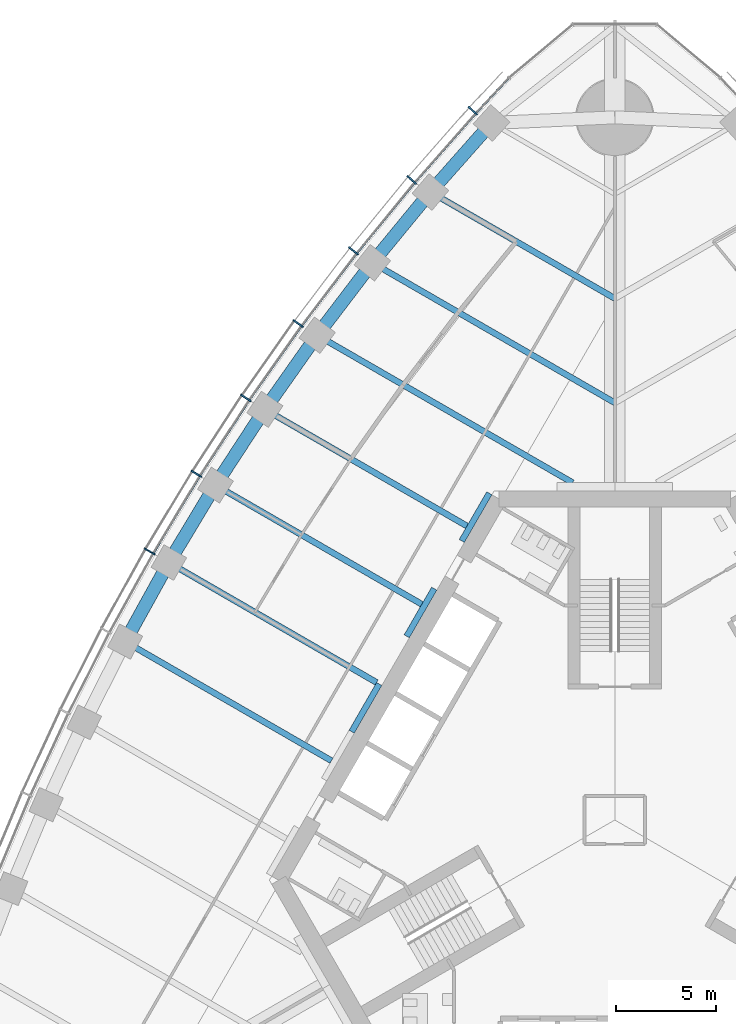
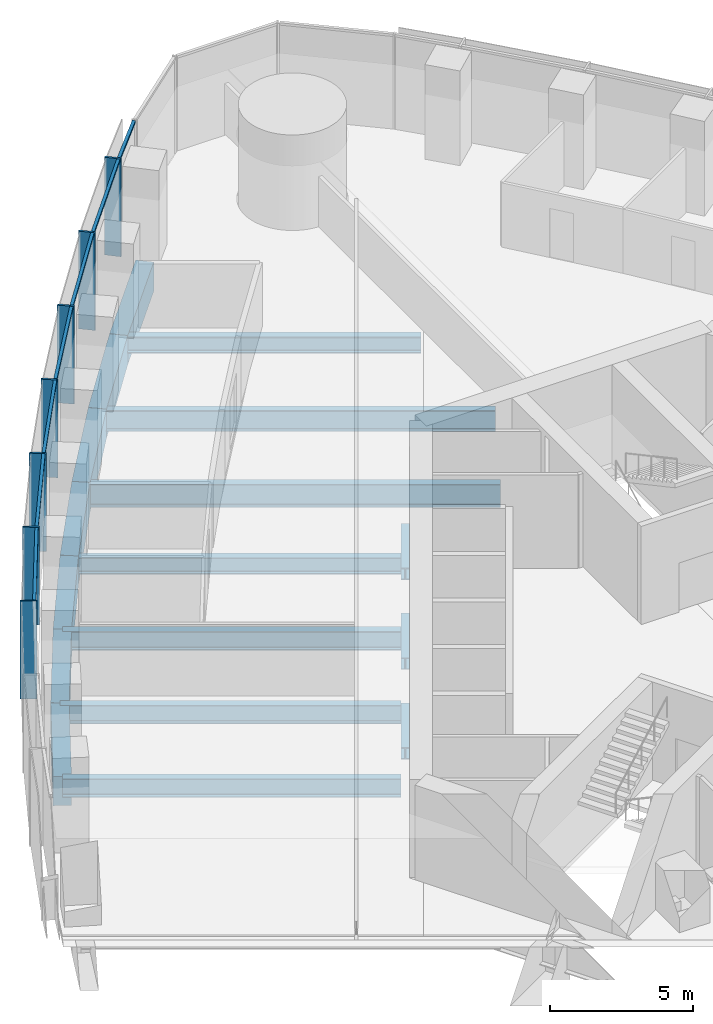
# One storey, part 4 of 19: 17 beams, 14 members, 1 element without a shape of its own.
"""IFC4 building model written with IfcOpenShell, lengths in metres."""

from ifc_helpers import new_model, si_unit, direction, frame, origin, origin_2d, place, context, subcontext, project, spatial, rectangle, i_section, extrude, material, material_profile, profile_set, type_object, element, aggregate, save


model = new_model("IFC4")

# Units and contexts
model_context = context("Model", 3, precision=1e-05, world=origin(), true_north=direction((0.0, 1.0)))
body_context = subcontext(model_context, "Body", "Model", "MODEL_VIEW")
ifc_project = project(units=[si_unit("LENGTHUNIT", "METRE"), si_unit("AREAUNIT", "SQUARE_METRE"), si_unit("VOLUMEUNIT", "CUBIC_METRE"), si_unit("PLANEANGLEUNIT", "RADIAN"), si_unit("MASSUNIT", "GRAM", prefix="KILO")], contexts=[model_context])

# Site, building, storey
site_placement = place(None, origin())
site = spatial("IfcSite", under=ifc_project, at=site_placement, CompositionType="ELEMENT")
building_placement = place(site_placement, origin())
building = spatial("IfcBuilding", under=site, at=building_placement, Name="Trefoil Bronze Tower", CompositionType="ELEMENT")
storey_placement = place(building_placement, frame((0.0, 0.0, 136.699951171875)))
storey = spatial("IfcBuildingStorey", under=building, at=storey_placement, Name="L31", CompositionType="ELEMENT", Elevation=136.699951171875)

# Curtain wall, members
ifc_material_1 = material(Name="Tinted solar-control glass", Category="glass")
curtain_wall_type = type_object("IfcCurtainWallType", Name="Bronze office curtain wall", PredefinedType="USERDEFINED", material=ifc_material_1)
curtain_wall_placement = place(storey_placement, origin())
curtain_wall = element("IfcCurtainWall", 1, at=curtain_wall_placement, inside=storey, type_object=curtain_wall_type, Name="CW-A L31 F3", ObjectType="CURTAIN WALL", PredefinedType="USERDEFINED")
ifc_material_2 = material(Name="Bronze-finish aluminium", Category="aluminium")
ifc_material_profile_1 = material_profile(ifc_material_2, rectangle(XDim=0.60009765625, YDim=0.080078125, at=origin_2d()), Name="CW-A mullion")
ifc_profile_set_1 = profile_set([ifc_material_profile_1], Name="Bronze-finish aluminium")
member_type_1 = type_object("IfcMemberType", Name="Bronze office curtain wall mullion", PredefinedType="MULLION", material=ifc_profile_set_1)
member_1_placement = place(storey_placement, frame((-7.070068359375, 35.332275390625, 0.0), z_axis=(0.0, 0.0, 1.0), x_axis=(0.740360700327, -0.672209813534, 0.0)))
member_1 = element("IfcMember", 2, at=member_1_placement, type_object=member_type_1, Name="CW-A L31 F3 mullion 2", PredefinedType="MULLION", context=body_context, shape_type="SweptSolid", body=[
    extrude(rectangle(XDim=0.60009765625, YDim=0.080078125, at=origin_2d()), origin(), (0.0, 0.0, 1.0), 4.179931640625),
])
member_2_placement = place(storey_placement, frame((-10.11474609375, 31.8828125, 0.0), z_axis=(0.0, 0.0, 1.0), x_axis=(0.761721651066, -0.647904411389, 0.0)))
member_2 = element("IfcMember", 3, at=member_2_placement, type_object=member_type_1, Name="CW-A L31 F3 mullion 3", PredefinedType="MULLION", context=body_context, shape_type="SweptSolid", body=[
    extrude(rectangle(XDim=0.60009765625, YDim=0.080078125, at=origin_2d()), origin(), (0.0, 0.0, 1.0), 4.179931640625),
])
member_3_placement = place(storey_placement, frame((-13.01220703125, 28.34716796875, 0.0), z_axis=(0.0, 0.0, 1.0), x_axis=(0.78487913905, -0.619648882098, 0.0)))
member_3 = element("IfcMember", 4, at=member_3_placement, type_object=member_type_1, Name="CW-A L31 F3 mullion 4", PredefinedType="MULLION", context=body_context, shape_type="SweptSolid", body=[
    extrude(rectangle(XDim=0.60009765625, YDim=0.080078125, at=origin_2d()), origin(), (0.0, 0.0, 1.0), 4.179931640625),
])
member_4_placement = place(storey_placement, frame((-15.764404296875, 24.7275390625, 0.0), z_axis=(0.0, 0.0, 1.0), x_axis=(0.806874522901, -0.590722865897, 0.0)))
member_4 = element("IfcMember", 5, at=member_4_placement, type_object=member_type_1, Name="CW-A L31 F3 mullion 5", PredefinedType="MULLION", context=body_context, shape_type="SweptSolid", body=[
    extrude(rectangle(XDim=0.60009765625, YDim=0.080078125, at=origin_2d()), origin(), (0.0, 0.0, 1.0), 4.179931640625),
])
member_5_placement = place(storey_placement, frame((-18.373046875, 21.025146484375, 0.0), z_axis=(0.0, 0.0, 1.0), x_axis=(0.827723925749, -0.561135547566, 0.0)))
member_5 = element("IfcMember", 6, at=member_5_placement, type_object=member_type_1, Name="CW-A L31 F3 mullion 6", PredefinedType="MULLION", context=body_context, shape_type="SweptSolid", body=[
    extrude(rectangle(XDim=0.60009765625, YDim=0.080078125, at=origin_2d()), origin(), (0.0, 0.0, 1.0), 4.179931640625),
])
member_6_placement = place(storey_placement, frame((-20.840087890625, 17.24072265625, 0.0), z_axis=(0.0, 0.0, 1.0), x_axis=(0.84743864936, -0.530893337283, 0.0)))
member_6 = element("IfcMember", 7, at=member_6_placement, type_object=member_type_1, Name="CW-A L31 F3 mullion 7", PredefinedType="MULLION", context=body_context, shape_type="SweptSolid", body=[
    extrude(rectangle(XDim=0.60009765625, YDim=0.080078125, at=origin_2d()), origin(), (0.0, 0.0, 1.0), 4.179931640625),
])
member_7_placement = place(storey_placement, frame((-23.166015625, 13.374755859375, 0.0), z_axis=(0.0, 0.0, 1.0), x_axis=(0.866025403784, -0.5, 0.0)))
member_7 = element("IfcMember", 8, at=member_7_placement, type_object=member_type_1, Name="CW-A L31 F3 mullion 8", PredefinedType="MULLION", context=body_context, shape_type="SweptSolid", body=[
    extrude(rectangle(XDim=0.60009765625, YDim=0.080078125, at=origin_2d()), origin(), (0.0, 0.0, 1.0), 4.179931640625),
])
ifc_material_3 = material(Name="Bronze-finish aluminium", Category="aluminium")
ifc_material_profile_2 = material_profile(ifc_material_3, rectangle(XDim=0.1201171875, YDim=0.10009765625, at=origin_2d()), Name="CW-A transom")
ifc_profile_set_2 = profile_set([ifc_material_profile_2], Name="Bronze-finish aluminium")
member_type_2 = type_object("IfcMemberType", Name="Bronze office curtain wall transom", PredefinedType="USERDEFINED", material=ifc_profile_set_2)
member_8_placement = place(storey_placement, frame((-5.296630859375, 36.9384765625, 4.130126953125), z_axis=(-0.682489214428, -0.730895664366, 0.0), x_axis=(0.730895664366, -0.682489214428, 0.0)))
member_8 = element("IfcMember", 9, at=member_8_placement, type_object=member_type_2, Name="CW-A L31 F3 transom 1", ObjectType="TRANSOM", PredefinedType="USERDEFINED", context=body_context, shape_type="SweptSolid", body=[
    extrude(rectangle(XDim=0.1201171875, YDim=0.10009765625, at=origin_2d()), origin(), (0.0, 0.0, 1.0), 2.340087890625),
])
member_9_placement = place(storey_placement, frame((-6.949462890625, 35.166748046875, 4.130126953125), z_axis=(-0.66173618877, -0.749736764786, 0.0), x_axis=(0.749736764786, -0.66173618877, 0.0)))
member_9 = element("IfcMember", 10, at=member_9_placement, type_object=member_type_2, Name="CW-A L31 F3 transom 2", ObjectType="TRANSOM", PredefinedType="USERDEFINED", context=body_context, shape_type="SweptSolid", body=[
    extrude(rectangle(XDim=0.1201171875, YDim=0.10009765625, at=origin_2d()), origin(), (0.0, 0.0, 1.0), 4.510986328125),
])
member_10_placement = place(storey_placement, frame((-9.98876953125, 31.720947265625, 4.130126953125), z_axis=(-0.633848872297, -0.773456919995, 0.0), x_axis=(0.773456919995, -0.633848872297, 0.0)))
member_10 = element("IfcMember", 11, at=member_10_placement, type_object=member_type_2, Name="CW-A L31 F3 transom 3", ObjectType="TRANSOM", PredefinedType="USERDEFINED", context=body_context, shape_type="SweptSolid", body=[
    extrude(rectangle(XDim=0.1201171875, YDim=0.10009765625, at=origin_2d()), origin(), (0.0, 0.0, 1.0), 4.480224609375),
])
member_11_placement = place(storey_placement, frame((-12.880615234375, 28.18994140625, 4.130126953125), z_axis=(-0.605229114572, -0.796051329296, 0.0), x_axis=(0.796051329296, -0.605229114572, 0.0)))
member_11 = element("IfcMember", 12, at=member_11_placement, type_object=member_type_2, Name="CW-A L31 F3 transom 4", ObjectType="TRANSOM", PredefinedType="USERDEFINED", context=body_context, shape_type="SweptSolid", body=[
    extrude(rectangle(XDim=0.1201171875, YDim=0.10009765625, at=origin_2d()), origin(), (0.0, 0.0, 1.0), 4.456298828125),
])
member_12_placement = place(storey_placement, frame((-15.626953125, 24.5751953125, 4.130126953125), z_axis=(-0.576017858824, -0.817437108478, 0.0), x_axis=(0.817437108478, -0.576017858824, 0.0)))
member_12 = element("IfcMember", 13, at=member_12_placement, type_object=member_type_2, Name="CW-A L31 F3 transom 5", ObjectType="TRANSOM", PredefinedType="USERDEFINED", context=body_context, shape_type="SweptSolid", body=[
    extrude(rectangle(XDim=0.1201171875, YDim=0.10009765625, at=origin_2d()), origin(), (0.0, 0.0, 1.0), 4.4384765625),
])
member_13_placement = place(storey_placement, frame((-18.23046875, 20.877685546875, 4.130126953125), z_axis=(-0.546079336226, -0.837733465099, 0.0), x_axis=(0.837733465099, -0.546079336226, 0.0)))
member_13 = element("IfcMember", 14, at=member_13_placement, type_object=member_type_2, Name="CW-A L31 F3 transom 6", ObjectType="TRANSOM", PredefinedType="USERDEFINED", context=body_context, shape_type="SweptSolid", body=[
    extrude(rectangle(XDim=0.1201171875, YDim=0.10009765625, at=origin_2d()), origin(), (0.0, 0.0, 1.0), 4.426513671875),
])
member_14_placement = place(storey_placement, frame((-20.692138671875, 17.0986328125, 4.130126953125), z_axis=(-0.515526794174, -0.856873458854, 0.0), x_axis=(0.856873458854, -0.515526794174, 0.0)))
member_14 = element("IfcMember", 15, at=member_14_placement, type_object=member_type_2, Name="CW-A L31 F3 transom 7", ObjectType="TRANSOM", PredefinedType="USERDEFINED", context=body_context, shape_type="SweptSolid", body=[
    extrude(rectangle(XDim=0.1201171875, YDim=0.10009765625, at=origin_2d()), origin(), (0.0, 0.0, 1.0), 4.4208984375),
])
aggregate(curtain_wall, [member_1, member_2, member_3, member_4, member_5, member_6, member_7, member_8, member_9, member_10, member_11, member_12, member_13, member_14])

# Beams
ifc_material_4 = material(Name="Steel C355", Category="steel")
ifc_material_profile_3 = material_profile(ifc_material_4, i_section(OverallWidth=0.300048828125, OverallDepth=0.5, WebThickness=0.014404296875, FlangeThickness=0.028076171875, FilletRadius=0.027099609375, at=origin_2d()), Name="HEB 500")
ifc_profile_set_3 = profile_set([ifc_material_profile_3], Name="Steel C355")
beam_type_1 = type_object("IfcBeamType", Name="Core seat beam HEB 500", PredefinedType="BEAM", material=ifc_profile_set_3)
for number, where, z_axis, x_axis, name in (
    (16, (-6.249755859375, 16.27490234375, -0.449951171875), (-0.500035825175, -0.866004719122, 0.0), (0.866004719122, -0.500035825175, 0.0), "Core seat beam F3/-2 L31"),
    (17, (-8.9921875, 11.52490234375, -0.449951171875), (-0.500035825175, -0.866004719122, 0.0), (0.866004719122, -0.500035825175, 0.0), "Core seat beam F3/-1 L31"),
    (18, (-11.734619140625, 6.77490234375, -0.449951171875), (-0.500035825175, -0.866004719122, 0.0), (0.866004719122, -0.500035825175, 0.0), "Core seat beam F3/+0 L31"),
):
    element("IfcBeam", number, at=place(storey_placement, frame(where, z_axis=z_axis, x_axis=x_axis)), inside=storey, type_object=beam_type_1, Name=name, PredefinedType="BEAM", context=body_context, shape_type="SweptSolid", body=[
        extrude(i_section(OverallWidth=0.300048828125, OverallDepth=0.5, WebThickness=0.014404296875, FlangeThickness=0.028076171875, FilletRadius=0.027099609375, at=origin_2d()), origin(), (0.0, 0.0, 1.0), 2.742431640625),
    ])
ifc_material_5 = material(Name="Steel C355", Category="steel")
ifc_material_profile_4 = material_profile(ifc_material_5, i_section(OverallWidth=0.300048828125, OverallDepth=1.0, WebThickness=0.01904296875, FlangeThickness=0.035888671875, FilletRadius=0.030029296875, at=origin_2d()), Name="HEB 1000")
ifc_profile_set_4 = profile_set([ifc_material_profile_4], Name="Steel C355")
beam_type_2 = type_object("IfcBeamType", Name="Floor beam HEB 1000", PredefinedType="BEAM", material=ifc_profile_set_4)
beam_1_placement = place(storey_placement, frame((-14.825439453125, 24.14794921875, -0.699951171875), z_axis=(0.866027342682, -0.499996641717, 0.0), x_axis=(0.499996641717, 0.866027342682, 0.0)))
element("IfcBeam", 19, at=beam_1_placement, inside=storey, type_object=beam_type_2, Name="Floor beam F3/-3 L31", PredefinedType="BEAM", context=body_context, shape_type="SweptSolid", body=[
    extrude(i_section(OverallWidth=0.300048828125, OverallDepth=1.0, WebThickness=0.01904296875, FlangeThickness=0.035888671875, FilletRadius=0.030029296875, at=origin_2d()), origin(), (0.0, 0.0, 1.0), 14.69580078125),
])
ifc_material_6 = material(Name="Steel C355", Category="steel")
ifc_material_profile_5 = material_profile(ifc_material_6, i_section(OverallWidth=0.300048828125, OverallDepth=0.699951171875, WebThickness=0.01708984375, FlangeThickness=0.031982421875, FilletRadius=0.027099609375, at=origin_2d()), Name="HEB 700")
ifc_profile_set_5 = profile_set([ifc_material_profile_5], Name="Steel C355")
beam_type_3 = type_object("IfcBeamType", Name="Floor beam HEB 700", PredefinedType="BEAM", material=ifc_profile_set_5)
beam_2_placement = place(storey_placement, frame((-9.181884765625, 31.281982421875, -0.550048828125), z_axis=(0.866021079084, -0.500007490527, 0.0), x_axis=(0.500007490527, 0.866021079084, 0.0)))
element("IfcBeam", 20, at=beam_2_placement, inside=storey, type_object=beam_type_3, Name="Floor beam F3/-5 L31", PredefinedType="BEAM", context=body_context, shape_type="SweptSolid", body=[
    extrude(i_section(OverallWidth=0.300048828125, OverallDepth=0.699951171875, WebThickness=0.01708984375, FlangeThickness=0.031982421875, FilletRadius=0.027099609375, at=origin_2d()), origin(), (0.0, 0.0, 1.0), 10.602294921875),
])
beam_3_placement = place(storey_placement, frame((-17.43017578125, 20.45556640625, -0.550048828125), z_axis=(0.866030626868, -0.499990953245, 0.0), x_axis=(0.499990953245, 0.866030626868, 0.0)))
element("IfcBeam", 21, at=beam_3_placement, inside=storey, type_object=beam_type_3, Name="Floor beam F3/-2 L31", PredefinedType="BEAM", context=body_context, shape_type="SweptSolid", body=[
    extrude(i_section(OverallWidth=0.300048828125, OverallDepth=0.699951171875, WebThickness=0.01708984375, FlangeThickness=0.031982421875, FilletRadius=0.027099609375, at=origin_2d()), origin(), (0.0, 0.0, 1.0), 11.622802734375),
])
ifc_material_7 = material(Name="Steel C355", Category="steel")
ifc_material_profile_6 = material_profile(ifc_material_7, i_section(OverallWidth=0.300048828125, OverallDepth=0.800048828125, WebThickness=0.017578125, FlangeThickness=0.032958984375, FilletRadius=0.030029296875, at=origin_2d()), Name="HEB 800")
ifc_profile_set_6 = profile_set([ifc_material_profile_6], Name="Steel C355")
beam_type_4 = type_object("IfcBeamType", Name="Floor beam HEB 800", PredefinedType="BEAM", material=ifc_profile_set_6)
beam_4_placement = place(storey_placement, frame((-19.892578125, 16.68115234375, -0.599853515625), z_axis=(0.866024236736, -0.500002021381, 0.0), x_axis=(0.500002021381, 0.866024236736, 0.0)))
element("IfcBeam", 22, at=beam_4_placement, inside=storey, type_object=beam_type_4, Name="Floor beam F3/-1 L31", PredefinedType="BEAM", context=body_context, shape_type="SweptSolid", body=[
    extrude(i_section(OverallWidth=0.300048828125, OverallDepth=0.800048828125, WebThickness=0.017578125, FlangeThickness=0.032958984375, FilletRadius=0.030029296875, at=origin_2d()), origin(), (0.0, 0.0, 1.0), 11.8681640625),
])
beam_5_placement = place(storey_placement, frame((-22.21337890625, 12.824951171875, -0.599853515625), z_axis=(0.866028062731, -0.499995394541, 0.0), x_axis=(0.499995394541, 0.866028062731, 0.0)))
element("IfcBeam", 23, at=beam_5_placement, inside=storey, type_object=beam_type_4, Name="Floor beam F3/+0 L31", PredefinedType="BEAM", context=body_context, shape_type="SweptSolid", body=[
    extrude(i_section(OverallWidth=0.300048828125, OverallDepth=0.800048828125, WebThickness=0.017578125, FlangeThickness=0.032958984375, FilletRadius=0.030029296875, at=origin_2d()), origin(), (0.0, 0.0, 1.0), 11.94970703125),
])
beam_6_placement = place(storey_placement, frame((-24.392578125, 8.886962890625, -0.599853515625), z_axis=(0.866024236736, -0.500002021381, 0.0), x_axis=(0.500002021381, 0.866024236736, 0.0)))
element("IfcBeam", 24, at=beam_6_placement, inside=storey, type_object=beam_type_4, Name="Floor beam F3/+1 L31", PredefinedType="BEAM", context=body_context, shape_type="SweptSolid", body=[
    extrude(i_section(OverallWidth=0.300048828125, OverallDepth=0.800048828125, WebThickness=0.017578125, FlangeThickness=0.032958984375, FilletRadius=0.030029296875, at=origin_2d()), origin(), (0.0, 0.0, 1.0), 11.8681640625),
])
ifc_material_8 = material(Name="Steel C355", Category="steel")
ifc_material_profile_7 = material_profile(ifc_material_8, i_section(OverallWidth=0.300048828125, OverallDepth=0.89990234375, WebThickness=0.0185546875, FlangeThickness=0.034912109375, FilletRadius=0.030029296875, at=origin_2d()), Name="HEB 900")
ifc_profile_set_7 = profile_set([ifc_material_profile_7], Name="Steel C355")
beam_type_5 = type_object("IfcBeamType", Name="Floor beam HEB 900", PredefinedType="BEAM", material=ifc_profile_set_7)
beam_7_placement = place(storey_placement, frame((-12.07666015625, 27.757080078125, -0.64990234375), z_axis=(0.866026983775, -0.499997263366, 0.0), x_axis=(0.499997263366, 0.866026983775, 0.0)))
element("IfcBeam", 25, at=beam_7_placement, inside=storey, type_object=beam_type_5, Name="Floor beam F3/-4 L31", PredefinedType="BEAM", context=body_context, shape_type="SweptSolid", body=[
    extrude(i_section(OverallWidth=0.300048828125, OverallDepth=0.89990234375, WebThickness=0.0185546875, FlangeThickness=0.034912109375, FilletRadius=0.030029296875, at=origin_2d()), origin(), (0.0, 0.0, 1.0), 13.94482421875),
])
ifc_material_9 = material(Name="Concrete B80", Category="concrete")
ifc_material_profile_8 = material_profile(ifc_material_9, rectangle(XDim=0.64990234375, YDim=1.25, at=origin_2d()), Name="RC 650x1250")
ifc_profile_set_8 = profile_set([ifc_material_profile_8], Name="Concrete B80")
beam_type_6 = type_object("IfcBeamType", Name="Spandrel beam RC 650x1250", PredefinedType="SPANDREL", material=ifc_profile_set_8)
beam_8_placement = place(storey_placement, frame((-6.13916015625, 34.72119140625, -0.824951171875), z_axis=(-0.662616326239, -0.748959013699, 0.0), x_axis=(0.748959013699, -0.662616326239, 0.0)))
element("IfcBeam", 26, at=beam_8_placement, inside=storey, type_object=beam_type_6, Name="Spandrel F3.2 L31", PredefinedType="SPANDREL", context=body_context, shape_type="SweptSolid", body=[
    extrude(rectangle(XDim=0.64990234375, YDim=1.25, at=origin_2d()), origin(), (0.0, 0.0, 1.0), 4.592041015625),
])
beam_9_placement = place(storey_placement, frame((-9.181884765625, 31.281982421875, -0.824951171875), z_axis=(-0.634650386838, -0.772799383079, 0.0), x_axis=(0.772799383079, -0.634650386838, 0.0)))
element("IfcBeam", 27, at=beam_9_placement, inside=storey, type_object=beam_type_6, Name="Spandrel F3.3 L31", PredefinedType="SPANDREL", context=body_context, shape_type="SweptSolid", body=[
    extrude(rectangle(XDim=0.64990234375, YDim=1.25, at=origin_2d()), origin(), (0.0, 0.0, 1.0), 4.561279296875),
])
beam_10_placement = place(storey_placement, frame((-12.07666015625, 27.757080078125, -0.824951171875), z_axis=(-0.605898901788, -0.795541652468, 0.0), x_axis=(0.795541652468, -0.605898901788, 0.0)))
element("IfcBeam", 28, at=beam_10_placement, inside=storey, type_object=beam_type_6, Name="Spandrel F3.4 L31", PredefinedType="SPANDREL", context=body_context, shape_type="SweptSolid", body=[
    extrude(rectangle(XDim=0.64990234375, YDim=1.25, at=origin_2d()), origin(), (0.0, 0.0, 1.0), 4.53662109375),
])
beam_11_placement = place(storey_placement, frame((-14.825439453125, 24.14794921875, -0.824951171875), z_axis=(-0.576439228712, -0.81714002203, 0.0), x_axis=(0.81714002203, -0.576439228712, 0.0)))
element("IfcBeam", 29, at=beam_11_placement, inside=storey, type_object=beam_type_6, Name="Spandrel F3.5 L31", PredefinedType="SPANDREL", context=body_context, shape_type="SweptSolid", body=[
    extrude(rectangle(XDim=0.64990234375, YDim=1.25, at=origin_2d()), origin(), (0.0, 0.0, 1.0), 4.5185546875),
])
beam_12_placement = place(storey_placement, frame((-17.43017578125, 20.45556640625, -0.824951171875), z_axis=(-0.546396670296, -0.83752652417, 0.0), x_axis=(0.83752652417, -0.546396670296, 0.0)))
element("IfcBeam", 30, at=beam_12_placement, inside=storey, type_object=beam_type_6, Name="Spandrel F3.6 L31", PredefinedType="SPANDREL", context=body_context, shape_type="SweptSolid", body=[
    extrude(rectangle(XDim=0.64990234375, YDim=1.25, at=origin_2d()), origin(), (0.0, 0.0, 1.0), 4.506591796875),
])
for number, where, z_axis, x_axis, name in (
    (31, (-19.892578125, 16.68115234375, -0.824951171875), (-0.515651979972, -0.856798129988, 0.0), (0.856798129988, -0.515651979972, 0.0), "Spandrel F3.7 L31"),
    (32, (-22.21337890625, 12.824951171875, -0.824951171875), (-0.484186866546, -0.874964615436, 0.0), (0.874964615436, -0.484186866546, 0.0), "Spandrel F3.8 L31"),
):
    element("IfcBeam", number, at=place(storey_placement, frame(where, z_axis=z_axis, x_axis=x_axis)), inside=storey, type_object=beam_type_6, Name=name, PredefinedType="SPANDREL", context=body_context, shape_type="SweptSolid", body=[
        extrude(rectangle(XDim=0.64990234375, YDim=1.25, at=origin_2d()), origin(), (0.0, 0.0, 1.0), 4.500732421875),
    ])

save(model, "model.ifc")
